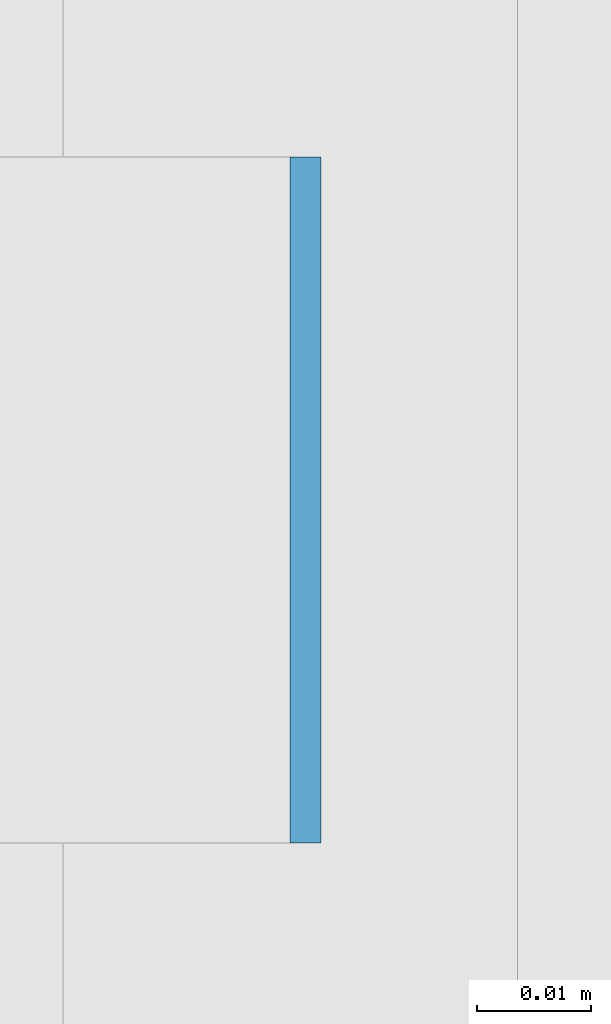
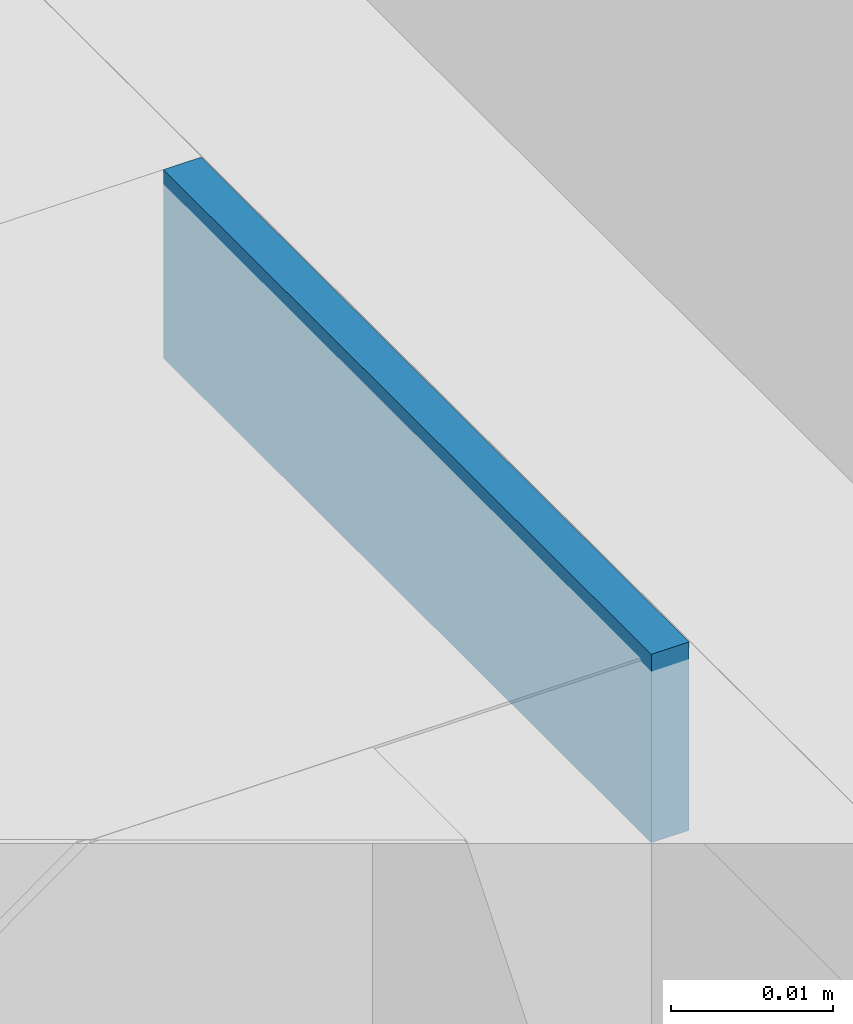
# One storey, part 359 of 646: 1 discrete accessory.
"""IFC4 building model written with IfcOpenShell, lengths in metres."""

from ifc_helpers import new_model, si_unit, direction, frame, origin, origin_2d, place, context, subcontext, project, spatial, rectangle, extrude, material, type_object, element, save


model = new_model("IFC4")

# Units and contexts
model_context = context("Model", 3, precision=1e-05, world=origin(), true_north=direction((0.0, 1.0)))
body_context = subcontext(model_context, "Body", "Model", "MODEL_VIEW")
ifc_project = project(units=[si_unit("LENGTHUNIT", "METRE"), si_unit("AREAUNIT", "SQUARE_METRE"), si_unit("VOLUMEUNIT", "CUBIC_METRE"), si_unit("PLANEANGLEUNIT", "RADIAN"), si_unit("MASSUNIT", "GRAM", prefix="KILO")], contexts=[model_context])

# Site, building, storey
site_placement = place(None, origin())
site = spatial("IfcSite", under=ifc_project, at=site_placement, CompositionType="ELEMENT")
building_placement = place(site_placement, origin())
building = spatial("IfcBuilding", under=site, at=building_placement, Name="Silverbay Arena", CompositionType="ELEMENT")
storey_placement = place(building_placement, frame((0.0, 0.0, 33.5)))
storey = spatial("IfcBuildingStorey", under=building, at=storey_placement, Name="L05", CompositionType="ELEMENT", Elevation=33.5)

# Discrete accessory
ifc_material = material(Name="Steel S355", Category="steel")
discrete_accessory_type = type_object("IfcDiscreteAccessoryType", Name="Steel bracket plate", PredefinedType="BRACKET", material=ifc_material)
discrete_accessory_placement = place(storey_placement, frame((53.871337890625, 96.428466796875, 12.98583984375), z_axis=(0.0, 0.0, 1.0), x_axis=(1.0, 0.0, 0.0)))
element("IfcDiscreteAccessory", 1, at=discrete_accessory_placement, inside=storey, type_object=discrete_accessory_type, Name="Curtain wall packing plate", PredefinedType="BRACKET", context=body_context, shape_type="SweptSolid", body=[
    extrude(rectangle(XDim=0.002685546875, YDim=0.06005859375, at=origin_2d()), origin(), (0.0, 0.0, 1.0), 0.01416015625),
])

save(model, "model.ifc")
